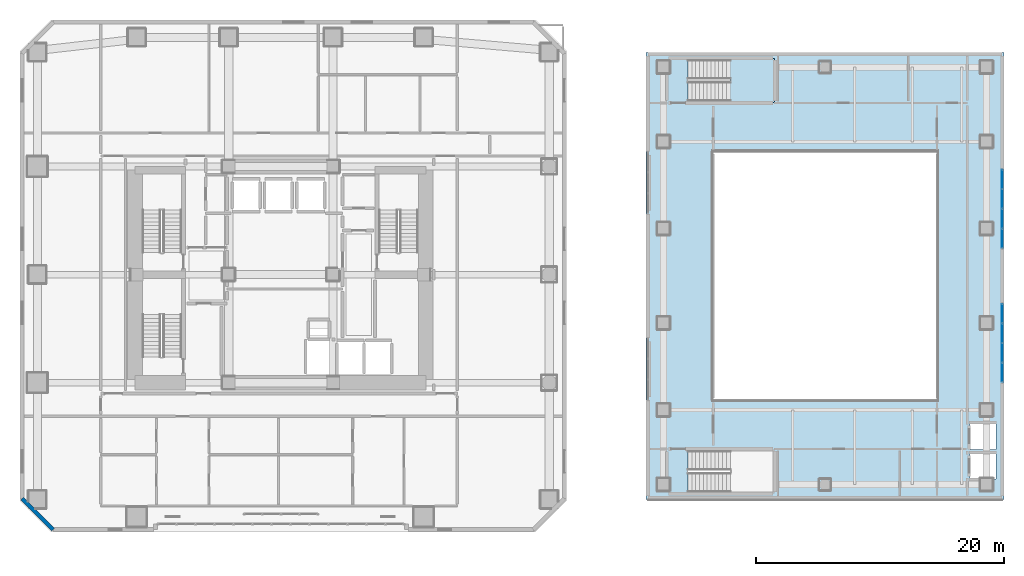
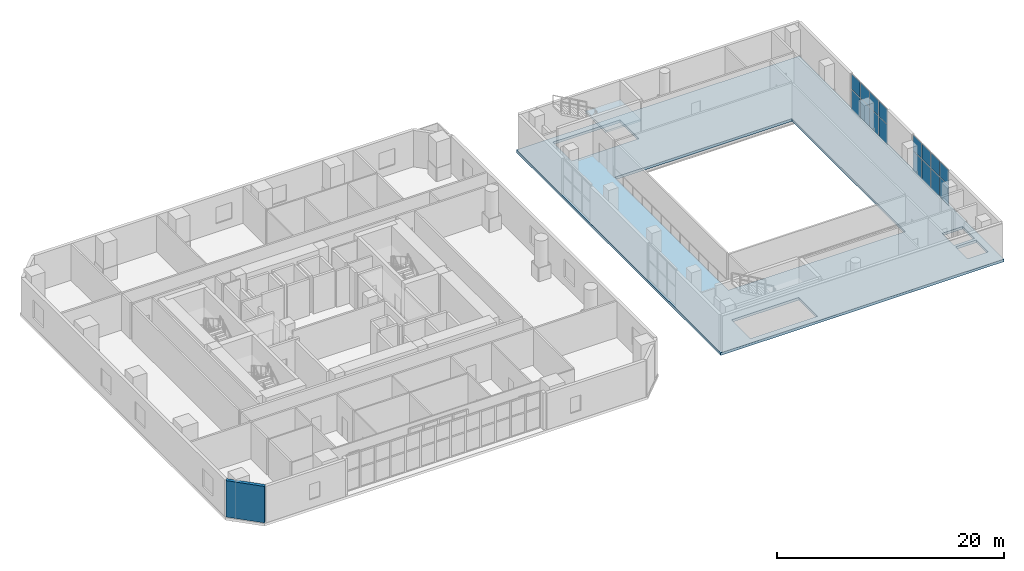
# One storey, part 14 of 24: 16 plates, 2 slabs, 1 wall, 3 elements without a shape of their own.
"""IFC4 building model written with IfcOpenShell, lengths in metres."""

from ifc_helpers import new_model, si_unit, direction, frame, frame_2d, origin, origin_2d, place, context, subcontext, project, spatial, polyline, rectangle, outline, extrude, material, layer, layer_set, type_object, element, aggregate, save


model = new_model("IFC4")

# Units and contexts
model_context = context("Model", 3, precision=1e-05, world=origin(), true_north=direction((0.0, 1.0)))
body_context = subcontext(model_context, "Body", "Model", "MODEL_VIEW")
ifc_project = project(units=[si_unit("LENGTHUNIT", "METRE"), si_unit("AREAUNIT", "SQUARE_METRE"), si_unit("VOLUMEUNIT", "CUBIC_METRE"), si_unit("PLANEANGLEUNIT", "RADIAN"), si_unit("MASSUNIT", "GRAM", prefix="KILO")], contexts=[model_context])

# Site, building, storey
site_placement = place(None, origin())
site = spatial("IfcSite", under=ifc_project, at=site_placement, CompositionType="ELEMENT")
building_placement = place(site_placement, origin())
building = spatial("IfcBuilding", under=site, at=building_placement, Name="Solanera Arch Residences", CompositionType="ELEMENT")
storey_placement = place(building_placement, frame((0.0, 0.0, 5.199951171875)))
storey = spatial("IfcBuildingStorey", under=building, at=storey_placement, Name="L01", CompositionType="ELEMENT", Elevation=5.199951171875)

# Stair, slab
ifc_material_1 = material(Name="Concrete C40/50 (f'c = 45 MPa)", Category="concrete")
stair_type = type_object("IfcStairType", Name="Arena Dogleg Exit Stair 1560", PredefinedType="HALF_TURN_STAIR", material=ifc_material_1)
stair_placement = place(storey_placement, origin())
stair = element("IfcStair", 1, at=stair_placement, inside=storey, type_object=stair_type, Name="L01 Sports Hall North Exit Stair", PredefinedType="HALF_TURN_STAIR")
ifc_material_2 = material(Name="Concrete C40/50 (f'c = 45 MPa)", Category="concrete")
ifc_layer_1 = layer(ifc_material_2, 0.199951171875)
ifc_layer_set_1 = layer_set([ifc_layer_1], Name="Concrete C40/50 (f'c = 45 MPa)")
slab_type_1 = type_object("IfcSlabType", Name="Stair Half-Landing Slab 200", PredefinedType="LANDING", material=ifc_layer_set_1)
slab_1_placement = place(storey_placement, frame((0.0, 0.0, 1.900146484375)))
slab_1 = element("IfcSlab", 2, at=slab_1_placement, type_object=slab_type_1, Name="ST-H2 landing 1", PredefinedType="LANDING", context=body_context, shape_type="SweptSolid", body=[
    extrude(outline(polyline([(61.159912109375, 44.56005859375), (64.719970703125, 44.56005859375), (64.719970703125, 48.1201171875), (61.159912109375, 48.1201171875), (61.159912109375, 44.56005859375)])), origin(), (0.0, 0.0, 1.0), 0.199951171875),
])
aggregate(stair, [slab_1])

# Slab
ifc_material_3 = material(Name="Concrete C40/50 (f'c = 45 MPa)", Category="concrete")
ifc_layer_2 = layer(ifc_material_3, 0.280029296875)
ifc_layer_set_2 = layer_set([ifc_layer_2], Name="Concrete C40/50 (f'c = 45 MPa)")
slab_type_2 = type_object("IfcSlabType", Name="Suspended Floor Slab Post-Tensioned 280", PredefinedType="FLOOR", material=ifc_layer_set_2)
slab_2_placement = place(storey_placement, frame((0.0, 0.0, -0.280029296875)))
element("IfcSlab", 3, at=slab_2_placement, inside=storey, type_object=slab_type_2, Name="L01 Civic Multi-Sports Hall Spectator Concourse Ring Slab", PredefinedType="FLOOR", context=body_context, shape_type="SweptSolid", body=[
    extrude(outline(polyline([(54.39990234375, 12.60009765625), (83.199951171875, 12.60009765625), (83.199951171875, 48.60009765625), (54.39990234375, 48.60009765625), (54.39990234375, 12.60009765625)]), holes=[polyline([(57.762939453125, 16.52001953125), (64.60009765625, 16.52001953125), (64.60009765625, 13.199951171875), (57.762939453125, 13.199951171875), (57.762939453125, 16.52001953125)]), polyline([(57.762939453125, 48.0), (64.60009765625, 48.0), (64.60009765625, 44.679931640625), (57.762939453125, 44.679931640625), (57.762939453125, 48.0)]), polyline([(80.449951171875, 16.35009765625), (82.550048828125, 16.35009765625), (82.550048828125, 14.25), (80.449951171875, 14.25), (80.449951171875, 16.35009765625)]), polyline([(80.449951171875, 18.75), (82.550048828125, 18.75), (82.550048828125, 16.64990234375), (80.449951171875, 16.64990234375), (80.449951171875, 18.75)]), polyline([(59.800048828125, 40.60009765625), (77.800048828125, 40.60009765625), (77.800048828125, 20.60009765625), (59.800048828125, 20.60009765625), (59.800048828125, 40.60009765625)])]), origin(), (0.0, 0.0, 1.0), 0.280029296875),
])

# Curtain wall, plates
ifc_material_4 = material(Name="Anodised Aluminium Alloy 6063-T6", Category="aluminium")
ifc_layer_3 = layer(ifc_material_4, 0.14990234375)
ifc_layer_set_3 = layer_set([ifc_layer_3], Name="Anodised Aluminium Alloy 6063-T6")
curtain_wall_type = type_object("IfcCurtainWallType", Name="CW-2 Paseo Shopfront Glazing", PredefinedType="USERDEFINED", material=ifc_layer_set_3)
curtain_wall_1_placement = place(storey_placement, origin())
curtain_wall_1 = element("IfcCurtainWall", 4, at=curtain_wall_1_placement, inside=storey, type_object=curtain_wall_type, Name="L01 Sports Hall East Promenade Glazing 1", ObjectType="CURTAIN_WALL", PredefinedType="USERDEFINED")
ifc_material_5 = material(Name="Double Glazed Low-E Laminated Glass", Category="glass")
ifc_layer_4 = layer(ifc_material_5, 0.028076171875)
ifc_layer_set_4 = layer_set([ifc_layer_4], Name="Double Glazed Low-E Laminated Glass")
plate_type = type_object("IfcPlateType", Name="Vision Glazing Panel GL-28", PredefinedType="CURTAIN_PANEL", material=ifc_layer_set_4)
plate_1_placement = place(storey_placement, frame((83.050048828125, 38.382568359375, 0.06982421875), z_axis=(0.0, 0.0, 1.0), x_axis=(0.0, -1.0, 0.0)))
plate_1 = element("IfcPlate", 5, at=plate_1_placement, type_object=plate_type, Name="CW-2 panel 1.1", PredefinedType="CURTAIN_PANEL", context=body_context, shape_type="SweptSolid", body=[
    extrude(rectangle(XDim=1.4951171875, YDim=0.028076171875, at=origin_2d()), origin(), (0.0, 0.0, 1.0), 2.094970703125),
])
plate_2_placement = place(storey_placement, frame((83.050048828125, 38.382568359375, 2.23486328125), z_axis=(0.0, 0.0, 1.0), x_axis=(0.0, -1.0, 0.0)))
plate_2 = element("IfcPlate", 6, at=plate_2_placement, type_object=plate_type, Name="CW-2 panel 1.2", PredefinedType="CURTAIN_PANEL", context=body_context, shape_type="SweptSolid", body=[
    extrude(rectangle(XDim=1.4951171875, YDim=0.028076171875, at=origin_2d()), origin(), (0.0, 0.0, 1.0), 1.614990234375),
])
plate_3_placement = place(storey_placement, frame((83.050048828125, 36.800048828125, 0.06982421875), z_axis=(0.0, 0.0, 1.0), x_axis=(0.0, -1.0, 0.0)))
plate_3 = element("IfcPlate", 7, at=plate_3_placement, type_object=plate_type, Name="CW-2 panel 2.1", PredefinedType="CURTAIN_PANEL", context=body_context, shape_type="SweptSolid", body=[
    extrude(rectangle(XDim=1.530029296875, YDim=0.028076171875, at=origin_2d()), origin(), (0.0, 0.0, 1.0), 2.094970703125),
])
plate_4_placement = place(storey_placement, frame((83.050048828125, 36.800048828125, 2.23486328125), z_axis=(0.0, 0.0, 1.0), x_axis=(0.0, -1.0, 0.0)))
plate_4 = element("IfcPlate", 8, at=plate_4_placement, type_object=plate_type, Name="CW-2 panel 2.2", PredefinedType="CURTAIN_PANEL", context=body_context, shape_type="SweptSolid", body=[
    extrude(rectangle(XDim=1.530029296875, YDim=0.028076171875, at=origin_2d()), origin(), (0.0, 0.0, 1.0), 1.614990234375),
])
plate_5_placement = place(storey_placement, frame((83.050048828125, 35.199951171875, 0.06982421875), z_axis=(0.0, 0.0, 1.0), x_axis=(0.0, -1.0, 0.0)))
plate_5 = element("IfcPlate", 9, at=plate_5_placement, type_object=plate_type, Name="CW-2 panel 3.1", PredefinedType="CURTAIN_PANEL", context=body_context, shape_type="SweptSolid", body=[
    extrude(rectangle(XDim=1.530029296875, YDim=0.028076171875, at=origin_2d()), origin(), (0.0, 0.0, 1.0), 2.094970703125),
])
plate_6_placement = place(storey_placement, frame((83.050048828125, 35.199951171875, 2.23486328125), z_axis=(0.0, 0.0, 1.0), x_axis=(0.0, -1.0, 0.0)))
plate_6 = element("IfcPlate", 10, at=plate_6_placement, type_object=plate_type, Name="CW-2 panel 3.2", PredefinedType="CURTAIN_PANEL", context=body_context, shape_type="SweptSolid", body=[
    extrude(rectangle(XDim=1.530029296875, YDim=0.028076171875, at=origin_2d()), origin(), (0.0, 0.0, 1.0), 1.614990234375),
])
plate_7_placement = place(storey_placement, frame((83.050048828125, 33.617431640625, 0.06982421875), z_axis=(0.0, 0.0, 1.0), x_axis=(0.0, -1.0, 0.0)))
plate_7 = element("IfcPlate", 11, at=plate_7_placement, type_object=plate_type, Name="CW-2 panel 4.1", PredefinedType="CURTAIN_PANEL", context=body_context, shape_type="SweptSolid", body=[
    extrude(rectangle(XDim=1.4951171875, YDim=0.028076171875, at=origin_2d()), origin(), (0.0, 0.0, 1.0), 2.094970703125),
])
plate_8_placement = place(storey_placement, frame((83.050048828125, 33.617431640625, 2.23486328125), z_axis=(0.0, 0.0, 1.0), x_axis=(0.0, -1.0, 0.0)))
plate_8 = element("IfcPlate", 12, at=plate_8_placement, type_object=plate_type, Name="CW-2 panel 4.2", PredefinedType="CURTAIN_PANEL", context=body_context, shape_type="SweptSolid", body=[
    extrude(rectangle(XDim=1.4951171875, YDim=0.028076171875, at=origin_2d()), origin(), (0.0, 0.0, 1.0), 1.614990234375),
])
aggregate(curtain_wall_1, [plate_1, plate_2, plate_3, plate_4, plate_5, plate_6, plate_7, plate_8])

curtain_wall_2_placement = place(storey_placement, origin())
curtain_wall_2 = element("IfcCurtainWall", 13, at=curtain_wall_2_placement, inside=storey, type_object=curtain_wall_type, Name="L01 Sports Hall East Promenade Glazing 2", ObjectType="CURTAIN_WALL", PredefinedType="USERDEFINED")
plate_9_placement = place(storey_placement, frame((83.050048828125, 27.58251953125, 0.06982421875), z_axis=(0.0, 0.0, 1.0), x_axis=(0.0, -1.0, 0.0)))
plate_9 = element("IfcPlate", 14, at=plate_9_placement, type_object=plate_type, Name="CW-2 panel 1.1", PredefinedType="CURTAIN_PANEL", context=body_context, shape_type="SweptSolid", body=[
    extrude(rectangle(XDim=1.4951171875, YDim=0.028076171875, at=origin_2d()), origin(), (0.0, 0.0, 1.0), 2.094970703125),
])
plate_10_placement = place(storey_placement, frame((83.050048828125, 27.58251953125, 2.23486328125), z_axis=(0.0, 0.0, 1.0), x_axis=(0.0, -1.0, 0.0)))
plate_10 = element("IfcPlate", 15, at=plate_10_placement, type_object=plate_type, Name="CW-2 panel 1.2", PredefinedType="CURTAIN_PANEL", context=body_context, shape_type="SweptSolid", body=[
    extrude(rectangle(XDim=1.4951171875, YDim=0.028076171875, at=origin_2d()), origin(), (0.0, 0.0, 1.0), 1.614990234375),
])
plate_11_placement = place(storey_placement, frame((83.050048828125, 26.0, 0.06982421875), z_axis=(0.0, 0.0, 1.0), x_axis=(0.0, -1.0, 0.0)))
plate_11 = element("IfcPlate", 16, at=plate_11_placement, type_object=plate_type, Name="CW-2 panel 2.1", PredefinedType="CURTAIN_PANEL", context=body_context, shape_type="SweptSolid", body=[
    extrude(rectangle(XDim=1.530029296875, YDim=0.028076171875, at=origin_2d()), origin(), (0.0, 0.0, 1.0), 2.094970703125),
])
plate_12_placement = place(storey_placement, frame((83.050048828125, 26.0, 2.23486328125), z_axis=(0.0, 0.0, 1.0), x_axis=(0.0, -1.0, 0.0)))
plate_12 = element("IfcPlate", 17, at=plate_12_placement, type_object=plate_type, Name="CW-2 panel 2.2", PredefinedType="CURTAIN_PANEL", context=body_context, shape_type="SweptSolid", body=[
    extrude(rectangle(XDim=1.530029296875, YDim=0.028076171875, at=origin_2d()), origin(), (0.0, 0.0, 1.0), 1.614990234375),
])
plate_13_placement = place(storey_placement, frame((83.050048828125, 24.39990234375, 0.06982421875), z_axis=(0.0, 0.0, 1.0), x_axis=(0.0, -1.0, 0.0)))
plate_13 = element("IfcPlate", 18, at=plate_13_placement, type_object=plate_type, Name="CW-2 panel 3.1", PredefinedType="CURTAIN_PANEL", context=body_context, shape_type="SweptSolid", body=[
    extrude(rectangle(XDim=1.530029296875, YDim=0.028076171875, at=origin_2d()), origin(), (0.0, 0.0, 1.0), 2.094970703125),
])
plate_14_placement = place(storey_placement, frame((83.050048828125, 24.39990234375, 2.23486328125), z_axis=(0.0, 0.0, 1.0), x_axis=(0.0, -1.0, 0.0)))
plate_14 = element("IfcPlate", 19, at=plate_14_placement, type_object=plate_type, Name="CW-2 panel 3.2", PredefinedType="CURTAIN_PANEL", context=body_context, shape_type="SweptSolid", body=[
    extrude(rectangle(XDim=1.530029296875, YDim=0.028076171875, at=origin_2d()), origin(), (0.0, 0.0, 1.0), 1.614990234375),
])
plate_15_placement = place(storey_placement, frame((83.050048828125, 22.8173828125, 0.06982421875), z_axis=(0.0, 0.0, 1.0), x_axis=(0.0, -1.0, 0.0)))
plate_15 = element("IfcPlate", 20, at=plate_15_placement, type_object=plate_type, Name="CW-2 panel 4.1", PredefinedType="CURTAIN_PANEL", context=body_context, shape_type="SweptSolid", body=[
    extrude(rectangle(XDim=1.4951171875, YDim=0.028076171875, at=origin_2d()), origin(), (0.0, 0.0, 1.0), 2.094970703125),
])
plate_16_placement = place(storey_placement, frame((83.050048828125, 22.8173828125, 2.23486328125), z_axis=(0.0, 0.0, 1.0), x_axis=(0.0, -1.0, 0.0)))
plate_16 = element("IfcPlate", 21, at=plate_16_placement, type_object=plate_type, Name="CW-2 panel 4.2", PredefinedType="CURTAIN_PANEL", context=body_context, shape_type="SweptSolid", body=[
    extrude(rectangle(XDim=1.4951171875, YDim=0.028076171875, at=origin_2d()), origin(), (0.0, 0.0, 1.0), 1.614990234375),
])
aggregate(curtain_wall_2, [plate_9, plate_10, plate_11, plate_12, plate_13, plate_14, plate_15, plate_16])

# Wall
ifc_material_6 = material(Name="Precast Concrete C35/45", Category="concrete")
ifc_layer_5 = layer(ifc_material_6, 0.320068359375)
ifc_layer_set_5 = layer_set([ifc_layer_5], Name="Precast Concrete C35/45")
wall_type = type_object("IfcWallType", Name="Exterior Wall Precast Masonry-Frame 320", PredefinedType="STANDARD", material=ifc_layer_set_5)
wall_placement = place(storey_placement, frame((6.679931640625, 10.179931640625, 0.0), z_axis=(0.0, 0.0, 1.0), x_axis=(-0.707106781187, 0.707106781187, 0.0)))
element("IfcWall", 22, at=wall_placement, inside=storey, type_object=wall_type, Name="L01 Podium Precast Masonry-Frame Wall 8", PredefinedType="STANDARD", context=body_context, shape_type="SweptSolid", body=[
    extrude(rectangle(XDim=3.53564453125, YDim=0.320068359375, at=frame_2d((1.767822265625, 0.0))), origin(), (0.0, 0.0, 1.0), 3.920166015625),
])

save(model, "model.ifc")
